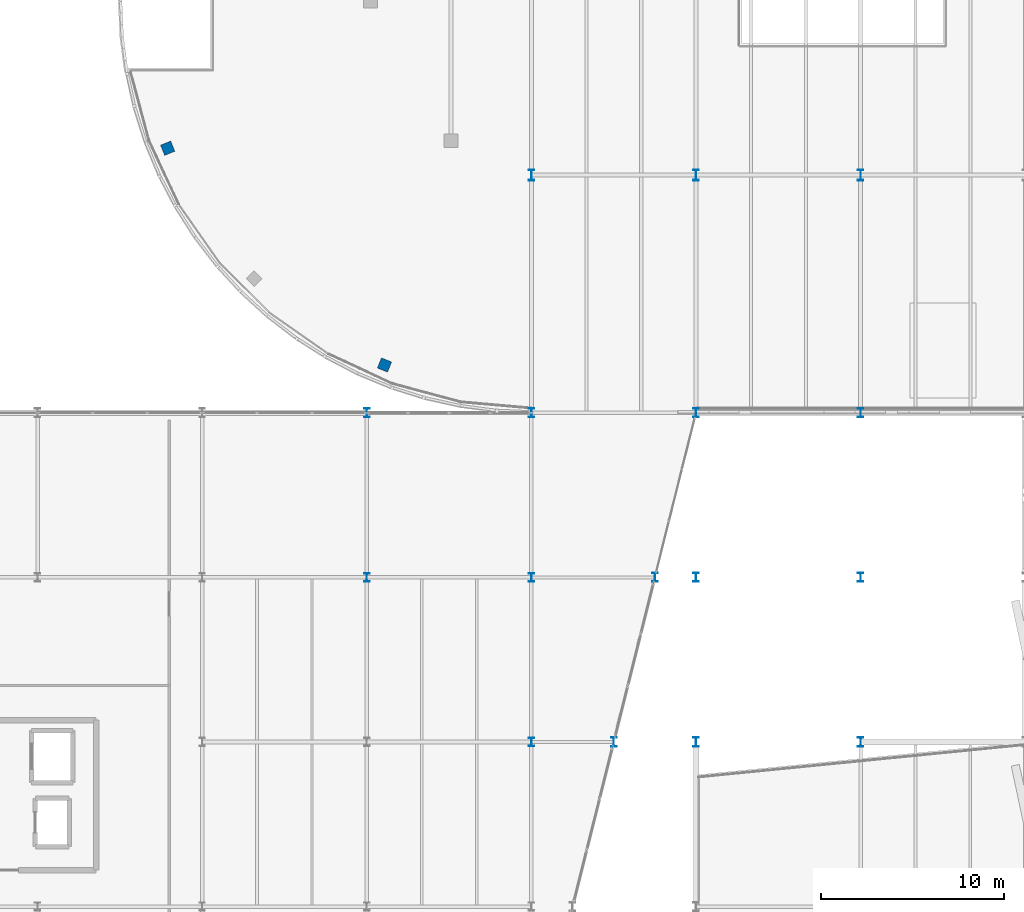
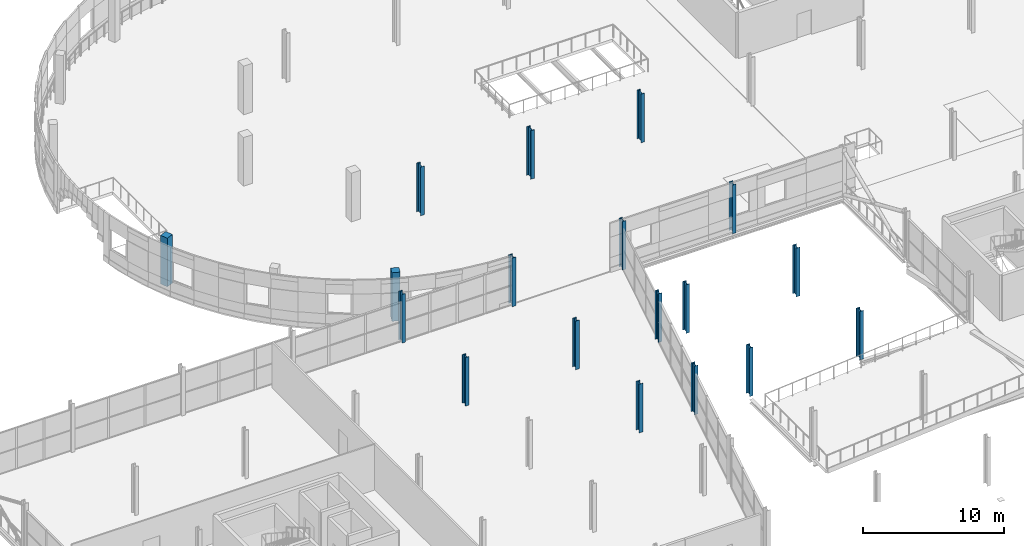
# One storey, part 9 of 135: 18 columns.
"""IFC4 building model written with IfcOpenShell, lengths in metres."""

from ifc_helpers import new_model, si_unit, direction, frame, origin, origin_2d, place, context, subcontext, project, spatial, rectangle, i_section, extrude, material, material_profile, profile_set, type_object, element, save


model = new_model("IFC4")

# Units and contexts
model_context = context("Model", 3, precision=1e-05, world=origin(), true_north=direction((0.0, 1.0)))
body_context = subcontext(model_context, "Body", "Model", "MODEL_VIEW")
ifc_project = project(units=[si_unit("LENGTHUNIT", "METRE"), si_unit("AREAUNIT", "SQUARE_METRE"), si_unit("VOLUMEUNIT", "CUBIC_METRE"), si_unit("PLANEANGLEUNIT", "RADIAN"), si_unit("MASSUNIT", "GRAM", prefix="KILO")], contexts=[model_context])

# Site, building, storey
site_placement = place(None, origin())
site = spatial("IfcSite", under=ifc_project, at=site_placement, CompositionType="ELEMENT")
building_placement = place(site_placement, origin())
building = spatial("IfcBuilding", under=site, at=building_placement, Name="Deido Ridge Mobility Hub", CompositionType="ELEMENT")
storey_placement = place(building_placement, frame((0.0, 0.0, 4.199951171875)))
storey = spatial("IfcBuildingStorey", under=building, at=storey_placement, Name="L01", CompositionType="ELEMENT", Elevation=4.199951171875)

# Columns
ifc_material_1 = material(Name="Steel S355J2 EN 10025-2", Category="steel")
ifc_material_profile_1 = material_profile(ifc_material_1, i_section(OverallWidth=0.300048828125, OverallDepth=0.449951171875, WebThickness=0.013916015625, FlangeThickness=0.02587890625, FilletRadius=0.027099609375, at=origin_2d()), Name="HEB 450")
ifc_profile_set_1 = profile_set([ifc_material_profile_1], Name="Steel S355J2 EN 10025-2")
column_type_1 = type_object("IfcColumnType", Name="COL-HEB450", PredefinedType="COLUMN", material=ifc_profile_set_1)
for number, where, z_axis, x_axis, name in (
    (1, (45.0, 63.0, 0.0), (0.0, 0.0, 1.0), (1.0, 0.0, 0.0), "Structural column C6"),
    (2, (36.0, 72.0, 0.0), (0.0, 0.0, 1.0), (1.0, 0.0, 0.0), "Structural column C6"),
    (3, (45.0, 72.0, 0.0), (0.0, 0.0, 1.0), (1.0, 0.0, 0.0), "Structural column C6"),
):
    element("IfcColumn", number, at=place(storey_placement, frame(where, z_axis=z_axis, x_axis=x_axis)), inside=storey, type_object=column_type_1, Name=name, PredefinedType="COLUMN", context=body_context, shape_type="SweptSolid", body=[
        extrude(i_section(OverallWidth=0.300048828125, OverallDepth=0.449951171875, WebThickness=0.013916015625, FlangeThickness=0.02587890625, FilletRadius=0.027099609375, at=origin_2d()), origin(), (0.0, 0.0, 1.0), 4.199951171875),
    ])
ifc_material_profile_2 = material_profile(ifc_material_1, i_section(OverallWidth=0.300048828125, OverallDepth=0.5, WebThickness=0.014404296875, FlangeThickness=0.028076171875, FilletRadius=0.027099609375, at=origin_2d()), Name="HEB 500")
ifc_profile_set_2 = profile_set([ifc_material_profile_2], Name="Steel S355J2 EN 10025-2")
column_type_2 = type_object("IfcColumnType", Name="COL-HEB500", PredefinedType="COLUMN", material=ifc_profile_set_2)
for number, where, z_axis, x_axis, name in (
    (4, (49.5, 63.0, 0.0), (0.0, 0.0, 1.0), (1.0, 0.0, 0.0), "Structural column C5"),
    (5, (51.75, 72.0, 0.0), (0.0, 0.0, 1.0), (1.0, 0.0, 0.0), "Structural column C5"),
    (6, (36.0, 81.0, 0.0), (0.0, 0.0, 1.0), (1.0, 0.0, 0.0), "Structural column C5"),
    (7, (45.0, 81.0, 0.0), (0.0, 0.0, 1.0), (1.0, 0.0, 0.0), "Structural column C5"),
    (8, (54.0, 81.0, 0.0), (0.0, 0.0, 1.0), (1.0, 0.0, 0.0), "Structural column C5"),
    (9, (54.0, 63.0, 0.0), (0.0, 0.0, 1.0), (1.0, 0.0, 0.0), "Structural column C5"),
    (10, (63.0, 63.0, 0.0), (0.0, 0.0, 1.0), (1.0, 0.0, 0.0), "Structural column C5"),
    (11, (54.0, 72.0, 0.0), (0.0, 0.0, 1.0), (1.0, 0.0, 0.0), "Structural column C5"),
    (12, (63.0, 72.0, 0.0), (0.0, 0.0, 1.0), (1.0, 0.0, 0.0), "Structural column C5"),
    (13, (63.0, 81.0, 0.0), (0.0, 0.0, 1.0), (1.0, 0.0, 0.0), "Structural column C5"),
):
    element("IfcColumn", number, at=place(storey_placement, frame(where, z_axis=z_axis, x_axis=x_axis)), inside=storey, type_object=column_type_2, Name=name, PredefinedType="COLUMN", context=body_context, shape_type="SweptSolid", body=[
        extrude(i_section(OverallWidth=0.300048828125, OverallDepth=0.5, WebThickness=0.014404296875, FlangeThickness=0.028076171875, FilletRadius=0.027099609375, at=origin_2d()), origin(), (0.0, 0.0, 1.0), 4.199951171875),
    ])
ifc_material_profile_3 = material_profile(ifc_material_1, i_section(OverallWidth=0.300048828125, OverallDepth=0.60009765625, WebThickness=0.015380859375, FlangeThickness=0.030029296875, FilletRadius=0.027099609375, at=origin_2d()), Name="HEB 600")
ifc_profile_set_3 = profile_set([ifc_material_profile_3], Name="Steel S355J2 EN 10025-2")
column_type_3 = type_object("IfcColumnType", Name="COL-HEB600", PredefinedType="COLUMN", material=ifc_profile_set_3)
for number, where, z_axis, x_axis, name in (
    (14, (45.0, 94.0, 0.0), (0.0, 0.0, 1.0), (1.0, 0.0, 0.0), "Structural column C4"),
    (15, (54.0, 94.0, 0.0), (0.0, 0.0, 1.0), (1.0, 0.0, 0.0), "Structural column C4"),
    (16, (63.0, 94.0, 0.0), (0.0, 0.0, 1.0), (1.0, 0.0, 0.0), "Structural column C4"),
):
    element("IfcColumn", number, at=place(storey_placement, frame(where, z_axis=z_axis, x_axis=x_axis)), inside=storey, type_object=column_type_3, Name=name, PredefinedType="COLUMN", context=body_context, shape_type="SweptSolid", body=[
        extrude(i_section(OverallWidth=0.300048828125, OverallDepth=0.60009765625, WebThickness=0.015380859375, FlangeThickness=0.030029296875, FilletRadius=0.027099609375, at=origin_2d()), origin(), (0.0, 0.0, 1.0), 4.199951171875),
    ])
ifc_material_2 = material(Name="Concrete C40/50", Category="concrete")
ifc_material_profile_4 = material_profile(ifc_material_2, rectangle(XDim=0.60009765625, YDim=0.60009765625, at=origin_2d()), Name="RC COL 600x600")
ifc_profile_set_4 = profile_set([ifc_material_profile_4], Name="Concrete C40/50")
column_type_4 = type_object("IfcColumnType", Name="COL-RC600", PredefinedType="COLUMN", material=ifc_profile_set_4)
for number, where, z_axis, x_axis, name in (
    (17, (25.11181640625, 95.464599609375, 0.0), (0.0, 0.0, 1.0), (-0.927183854567, -0.374606593416, 0.0), "Structural column RC2"),
    (18, (36.964599609375, 83.61181640625, 0.0), (0.0, 0.0, 1.0), (-0.374606593416, -0.927183854567, 0.0), "Structural column RC2"),
):
    element("IfcColumn", number, at=place(storey_placement, frame(where, z_axis=z_axis, x_axis=x_axis)), inside=storey, type_object=column_type_4, Name=name, PredefinedType="COLUMN", context=body_context, shape_type="SweptSolid", body=[
        extrude(rectangle(XDim=0.60009765625, YDim=0.60009765625, at=origin_2d()), origin(), (0.0, 0.0, 1.0), 4.199951171875),
    ])

save(model, "model.ifc")
